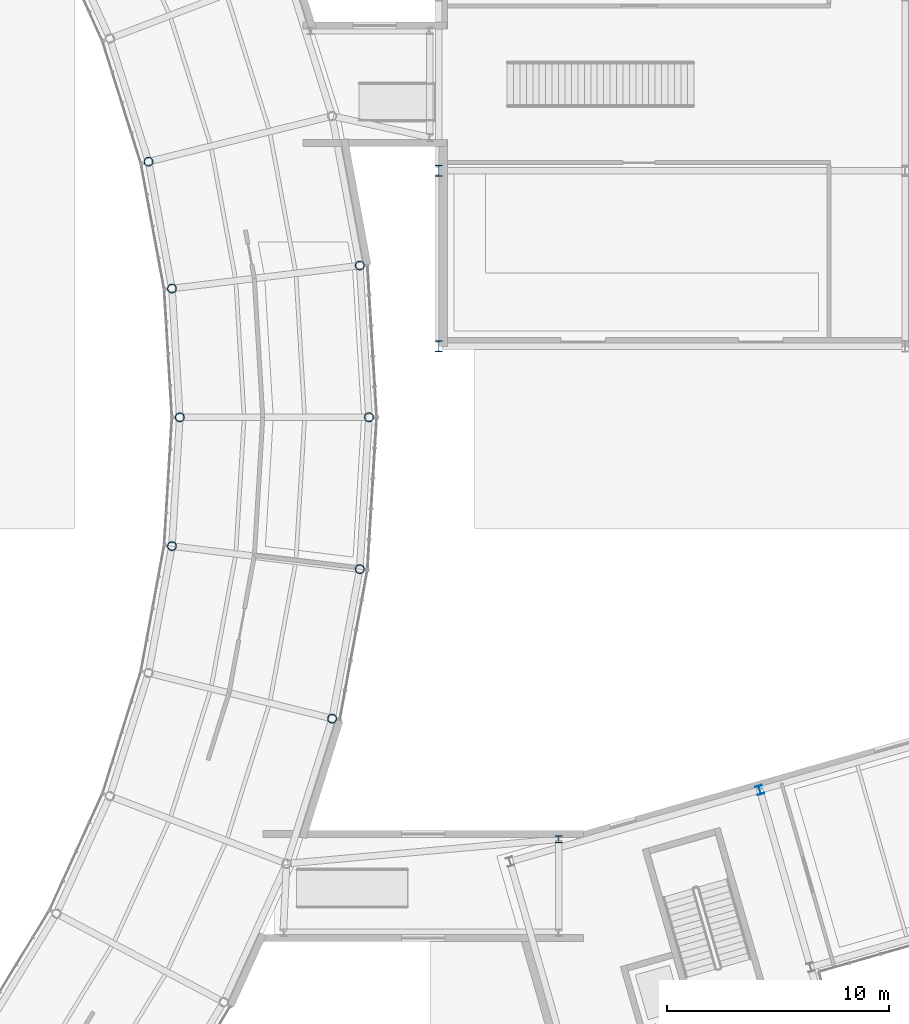
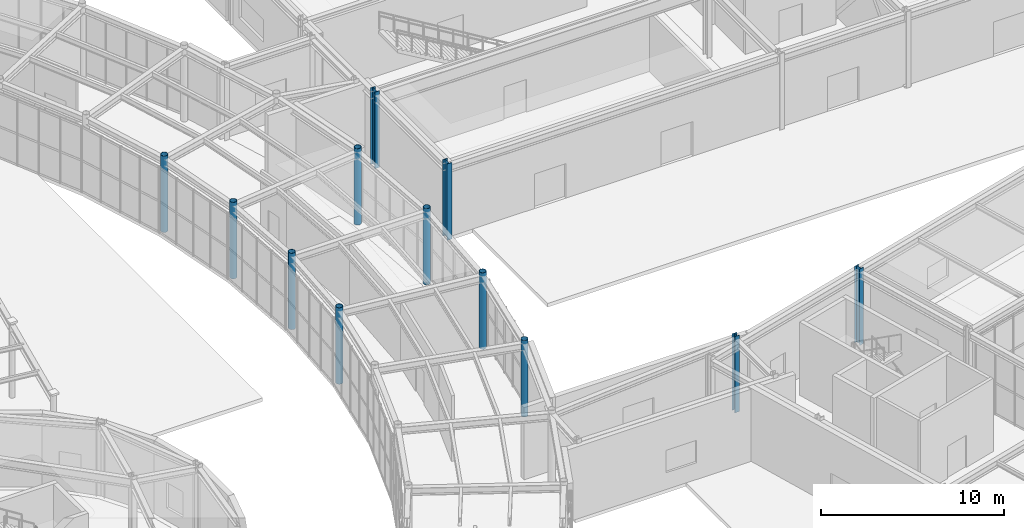
# One storey, part 8 of 97: 12 columns.
"""IFC4 building model written with IfcOpenShell, lengths in metres."""

from ifc_helpers import new_model, si_unit, direction, frame, origin, origin_2d, place, context, subcontext, project, spatial, hollow_circle, i_section, extrude, material, material_profile, profile_set, type_object, element, save


model = new_model("IFC4")

# Units and contexts
model_context = context("Model", 3, precision=1e-05, world=origin(), true_north=direction((0.0, 1.0)))
body_context = subcontext(model_context, "Body", "Model", "MODEL_VIEW")
ifc_project = project(units=[si_unit("LENGTHUNIT", "METRE"), si_unit("AREAUNIT", "SQUARE_METRE"), si_unit("VOLUMEUNIT", "CUBIC_METRE"), si_unit("PLANEANGLEUNIT", "RADIAN"), si_unit("MASSUNIT", "GRAM", prefix="KILO")], contexts=[model_context])

# Site, building, storey
site_placement = place(None, origin())
site = spatial("IfcSite", under=ifc_project, at=site_placement, CompositionType="ELEMENT")
building_placement = place(site_placement, origin())
building = spatial("IfcBuilding", under=site, at=building_placement, Name="Varnklinge Art Gallery", CompositionType="ELEMENT")
storey_placement = place(building_placement, origin())
storey = spatial("IfcBuildingStorey", under=building, at=storey_placement, Name="L00", CompositionType="ELEMENT", Elevation=0.0)

# Columns
ifc_material_1 = material(Name="Steel S355", Category="steel")
ifc_material_profile_1 = material_profile(ifc_material_1, i_section(OverallWidth=0.300048828125, OverallDepth=0.320068359375, WebThickness=0.011474609375, FlangeThickness=0.0205078125, FilletRadius=0.027099609375, at=origin_2d()), Name="HEB 320")
ifc_profile_set_1 = profile_set([ifc_material_profile_1], Name="Steel S355")
column_type_1 = type_object("IfcColumnType", Name="COL-09", PredefinedType="COLUMN", material=ifc_profile_set_1)
column_1_placement = place(storey_placement, frame((119.800048828125, 36.0, 0.0), z_axis=(0.0, 0.0, 1.0), x_axis=(1.0, 0.0, 0.0)))
element("IfcColumn", 1, at=column_1_placement, inside=storey, type_object=column_type_1, Name="L00 Column LNK-V6-C3", PredefinedType="COLUMN", context=body_context, shape_type="SweptSolid", body=[
    extrude(i_section(OverallWidth=0.300048828125, OverallDepth=0.320068359375, WebThickness=0.011474609375, FlangeThickness=0.0205078125, FilletRadius=0.027099609375, at=origin_2d()), origin(), (0.0, 0.0, 1.0), 5.10009765625),
])
ifc_material_2 = material(Name="Steel S355", Category="steel")
ifc_material_profile_2 = material_profile(ifc_material_2, i_section(OverallWidth=0.300048828125, OverallDepth=0.5, WebThickness=0.014404296875, FlangeThickness=0.028076171875, FilletRadius=0.027099609375, at=origin_2d()), Name="HEB 500")
ifc_profile_set_2 = profile_set([ifc_material_profile_2], Name="Steel S355")
column_type_2 = type_object("IfcColumnType", Name="COL-E1", PredefinedType="COLUMN", material=ifc_profile_set_2)
for number, where, z_axis, x_axis, name in (
    (2, (114.39990234375, 58.199951171875, 0.0), (0.0, 0.0, 1.0), (1.0, 0.0, 0.0), "L00 Column V1C-1-1"),
    (3, (114.39990234375, 66.10009765625, 0.0), (0.0, 0.0, 1.0), (1.0, 0.0, 0.0), "L00 Column V1C-1-2"),
):
    element("IfcColumn", number, at=place(storey_placement, frame(where, z_axis=z_axis, x_axis=x_axis)), inside=storey, type_object=column_type_2, Name=name, PredefinedType="COLUMN", context=body_context, shape_type="SweptSolid", body=[
        extrude(i_section(OverallWidth=0.300048828125, OverallDepth=0.5, WebThickness=0.014404296875, FlangeThickness=0.028076171875, FilletRadius=0.027099609375, at=origin_2d()), origin(), (0.0, 0.0, 1.0), 5.10009765625),
    ])
ifc_material_3 = material(Name="Steel S355", Category="steel")
ifc_material_profile_3 = material_profile(ifc_material_3, i_section(OverallWidth=0.300048828125, OverallDepth=0.39990234375, WebThickness=0.013427734375, FlangeThickness=0.02392578125, FilletRadius=0.027099609375, at=origin_2d()), Name="HEB 400")
ifc_profile_set_3 = profile_set([ifc_material_profile_3], Name="Steel S355")
column_type_3 = type_object("IfcColumnType", Name="COL-E3", PredefinedType="COLUMN", material=ifc_profile_set_3)
column_2_placement = place(storey_placement, frame((128.8525390625, 38.21826171875, 0.0), z_axis=(0.0, 0.0, 1.0), x_axis=(0.961261695938, 0.275637355817, 0.0)))
element("IfcColumn", 4, at=column_2_placement, inside=storey, type_object=column_type_3, Name="L00 Column V6C-2-4", PredefinedType="COLUMN", context=body_context, shape_type="SweptSolid", body=[
    extrude(i_section(OverallWidth=0.300048828125, OverallDepth=0.39990234375, WebThickness=0.013427734375, FlangeThickness=0.02392578125, FilletRadius=0.027099609375, at=origin_2d()), origin(), (0.0, 0.0, 1.0), 5.10009765625),
])
ifc_material_4 = material(Name="Steel S355", Category="steel")
ifc_material_profile_4 = material_profile(ifc_material_4, hollow_circle(Radius=0.203125, WallThickness=0.02001953125, at=origin_2d()), Name="CHS 406.4x20")
ifc_profile_set_4 = profile_set([ifc_material_profile_4], Name="Steel S355")
column_type_4 = type_object("IfcColumnType", Name="COL-E5", PredefinedType="COLUMN", material=ifc_profile_set_4)
for number, where, z_axis, x_axis, name in (
    (5, (109.598388671875, 41.43408203125, 0.0), (0.0, 0.0, 1.0), (-0.970506473469, 0.241075060833, 0.0), "L00 Column V2CO-05"),
    (6, (110.842041015625, 48.16650390625, 0.0), (0.0, 0.0, 1.0), (-0.992588631597, 0.121522872021, 0.0), "L00 Column V2CO-06"),
    (7, (102.387939453125, 49.201171875, 0.0), (0.0, 0.0, 1.0), (-0.992588631597, 0.121522872021, 0.0), "L00 Column V2CI-06"),
    (8, (111.258544921875, 55.0, 0.0), (0.0, 0.0, 1.0), (-1.0, 0.0, 0.0), "L00 Column V2CO-07"),
    (9, (102.741455078125, 55.0, 0.0), (0.0, 0.0, 1.0), (-1.0, 0.0, 0.0), "L00 Column V2CI-07"),
    (10, (110.842041015625, 61.83349609375, 0.0), (0.0, 0.0, 1.0), (-0.992588631597, -0.121522872021, 0.0), "L00 Column V2CO-08"),
    (11, (102.387939453125, 60.798828125, 0.0), (0.0, 0.0, 1.0), (-0.992588631597, -0.121522872021, 0.0), "L00 Column V2CI-08"),
    (12, (101.332763671875, 66.511962890625, 0.0), (0.0, 0.0, 1.0), (-0.970506473469, -0.241075060833, 0.0), "L00 Column V2CI-09"),
):
    element("IfcColumn", number, at=place(storey_placement, frame(where, z_axis=z_axis, x_axis=x_axis)), inside=storey, type_object=column_type_4, Name=name, PredefinedType="COLUMN", context=body_context, shape_type="SweptSolid", body=[
        extrude(hollow_circle(Radius=0.203125, WallThickness=0.02001953125, at=origin_2d()), origin(), (0.0, 0.0, 1.0), 5.10009765625),
    ])

save(model, "model.ifc")
